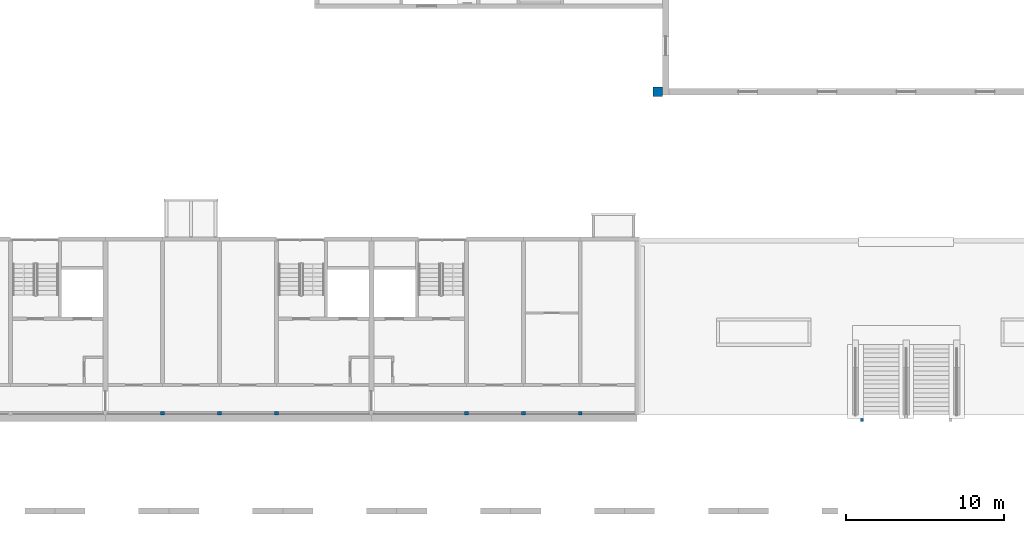
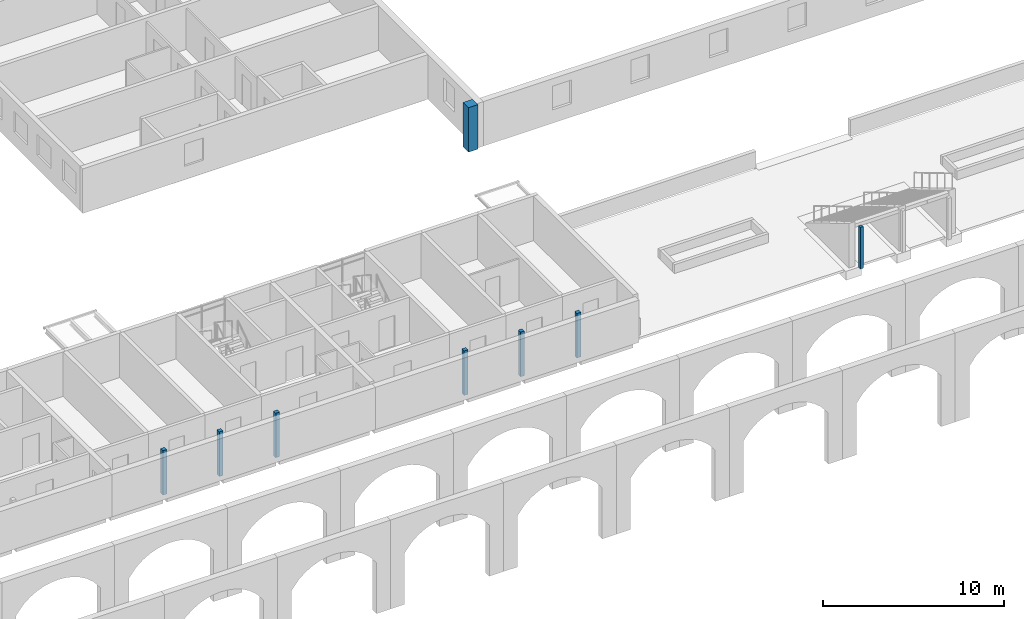
# One storey, part 3 of 122: 8 columns.
"""IFC4 building model written with IfcOpenShell, lengths in metres."""

from ifc_helpers import new_model, si_unit, direction, frame, origin, origin_2d, place, context, subcontext, project, spatial, rectangle, extrude, material, material_profile, profile_set, type_object, element, save


model = new_model("IFC4")

# Units and contexts
model_context = context("Model", 3, precision=1e-05, world=origin(), true_north=direction((0.0, 1.0)))
body_context = subcontext(model_context, "Body", "Model", "MODEL_VIEW")
ifc_project = project(units=[si_unit("LENGTHUNIT", "METRE"), si_unit("AREAUNIT", "SQUARE_METRE"), si_unit("VOLUMEUNIT", "CUBIC_METRE"), si_unit("PLANEANGLEUNIT", "RADIAN"), si_unit("MASSUNIT", "GRAM", prefix="KILO")], contexts=[model_context])

# Site, building, storey
site_placement = place(None, origin())
site = spatial("IfcSite", under=ifc_project, at=site_placement, CompositionType="ELEMENT")
building_placement = place(site_placement, origin())
building = spatial("IfcBuilding", under=site, at=building_placement, Name="Ridgestep Commons", CompositionType="ELEMENT")
storey_placement = place(building_placement, frame((0.0, 0.0, 3.0)))
storey = spatial("IfcBuildingStorey", under=building, at=storey_placement, Name="L01", CompositionType="ELEMENT", Elevation=3.0)

# Columns
ifc_material_1 = material(Name="Precast concrete C40/50", Category="concrete")
ifc_material_profile_1 = material_profile(ifc_material_1, rectangle(XDim=0.60009765625, YDim=0.60009765625, at=origin_2d()), Name="Buttress pier 600 x 600")
ifc_profile_set_1 = profile_set([ifc_material_profile_1], Name="Precast concrete C40/50")
column_type_1 = type_object("IfcColumnType", Name="Buttress pier 600 x 600", PredefinedType="COLUMN", material=ifc_profile_set_1)
column_1_placement = place(storey_placement, frame((114.10009765625, 32.199951171875, 0.0), z_axis=(0.0, 0.0, 1.0), x_axis=(1.0, 0.0, 0.0)))
element("IfcColumn", 1, at=column_1_placement, inside=storey, type_object=column_type_1, Name="Hall vault buttress pier", PredefinedType="COLUMN", context=body_context, shape_type="SweptSolid", body=[
    extrude(rectangle(XDim=0.60009765625, YDim=0.60009765625, at=origin_2d()), origin(), (0.0, 0.0, 1.0), 3.0),
])
ifc_material_2 = material(Name="Precast concrete C40/50", Category="concrete")
ifc_material_profile_2 = material_profile(ifc_material_2, rectangle(XDim=0.199951171875, YDim=0.199951171875, at=origin_2d()), Name="Community landing post 200")
ifc_profile_set_2 = profile_set([ifc_material_profile_2], Name="Precast concrete C40/50")
column_type_2 = type_object("IfcColumnType", Name="Community landing post 200", PredefinedType="COLUMN", material=ifc_profile_set_2)
column_2_placement = place(storey_placement, frame((127.0, 11.449951171875, 0.0), z_axis=(0.0, 0.0, 1.0), x_axis=(1.0, 0.0, 0.0)))
element("IfcColumn", 2, at=column_2_placement, inside=storey, type_object=column_type_2, Name="Landing post", PredefinedType="COLUMN", context=body_context, shape_type="SweptSolid", body=[
    extrude(rectangle(XDim=0.199951171875, YDim=0.199951171875, at=origin_2d()), origin(), (0.0, 0.0, 1.0), 2.800048828125),
])
ifc_material_3 = material(Name="Precast concrete C40/50", Category="concrete")
ifc_material_profile_3 = material_profile(ifc_material_3, rectangle(XDim=0.25, YDim=0.25, at=origin_2d()), Name="PC 250x250")
ifc_profile_set_3 = profile_set([ifc_material_profile_3], Name="Precast concrete C40/50")
column_type_3 = type_object("IfcColumnType", Name="Loggia column 250 x 250", PredefinedType="COLUMN", material=ifc_profile_set_3)
for number, where, z_axis, x_axis, name in (
    (3, (82.800048828125, 11.875, 0.0), (0.0, 0.0, 1.0), (1.0, 0.0, 0.0), "Loggia column A L01"),
    (4, (86.39990234375, 11.875, 0.0), (0.0, 0.0, 1.0), (1.0, 0.0, 0.0), "Loggia column A L01"),
    (5, (90.0, 11.875, 0.0), (0.0, 0.0, 1.0), (1.0, 0.0, 0.0), "Loggia column A L01"),
    (6, (102.0, 11.875, 0.0), (0.0, 0.0, 1.0), (1.0, 0.0, 0.0), "Loggia column A L01"),
    (7, (105.60009765625, 11.875, 0.0), (0.0, 0.0, 1.0), (1.0, 0.0, 0.0), "Loggia column A L01"),
    (8, (109.199951171875, 11.875, 0.0), (0.0, 0.0, 1.0), (1.0, 0.0, 0.0), "Loggia column A L01"),
):
    element("IfcColumn", number, at=place(storey_placement, frame(where, z_axis=z_axis, x_axis=x_axis)), inside=storey, type_object=column_type_3, Name=name, PredefinedType="COLUMN", context=body_context, shape_type="SweptSolid", body=[
        extrude(rectangle(XDim=0.25, YDim=0.25, at=origin_2d()), origin(), (0.0, 0.0, 1.0), 3.0),
    ])

save(model, "model.ifc")
